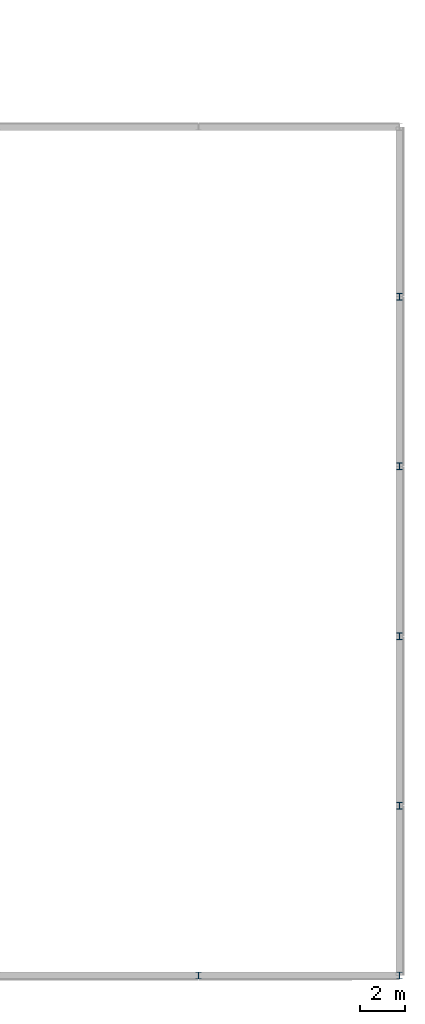
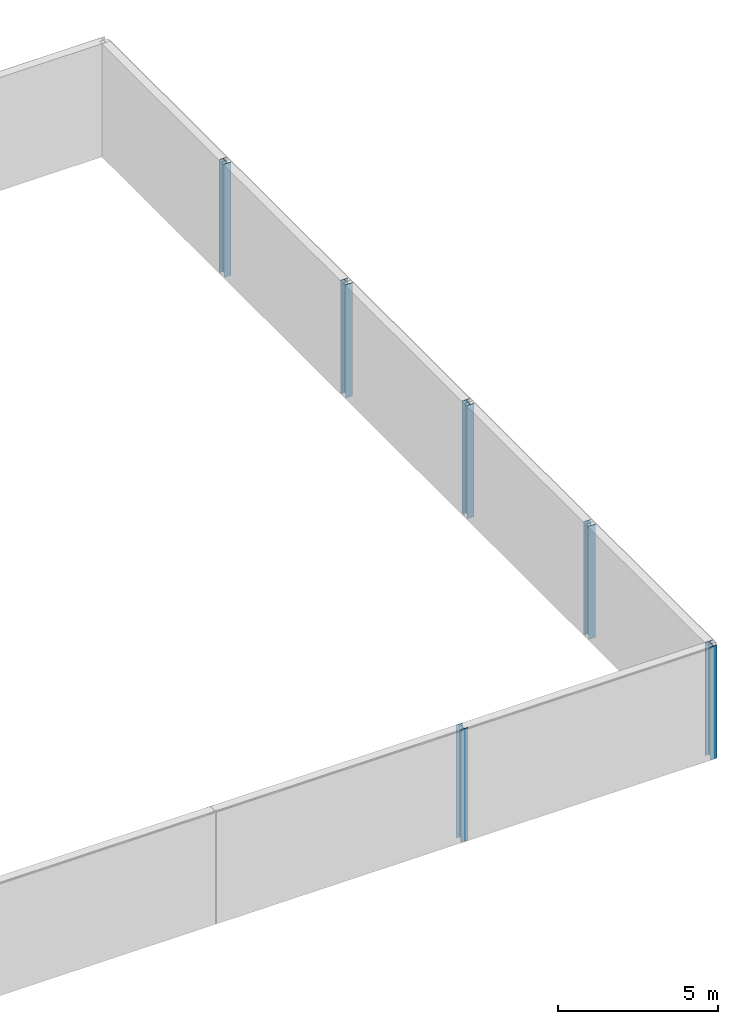
# One storey, part 23 of 174: 6 columns.
"""IFC4 building model written with IfcOpenShell, lengths in metres."""

from ifc_helpers import new_model, si_unit, direction, frame, origin, origin_2d, place, context, subcontext, project, spatial, i_section, extrude, material, material_profile, profile_set, type_object, element, save


model = new_model("IFC4")

# Units and contexts
model_context = context("Model", 3, precision=1e-05, world=origin(), true_north=direction((0.0, 1.0)))
body_context = subcontext(model_context, "Body", "Model", "MODEL_VIEW")
ifc_project = project(units=[si_unit("LENGTHUNIT", "METRE"), si_unit("AREAUNIT", "SQUARE_METRE"), si_unit("VOLUMEUNIT", "CUBIC_METRE"), si_unit("PLANEANGLEUNIT", "RADIAN"), si_unit("MASSUNIT", "GRAM", prefix="KILO")], contexts=[model_context])

# Site, building, storey
site_placement = place(None, origin())
site = spatial("IfcSite", under=ifc_project, at=site_placement, CompositionType="ELEMENT")
building_placement = place(site_placement, origin())
building = spatial("IfcBuilding", under=site, at=building_placement, Name="Caisbarro Railhouse Central Library", CompositionType="ELEMENT")
storey_placement = place(building_placement, frame((0.0, 0.0, 5.0400390625)))
storey = spatial("IfcBuildingStorey", under=building, at=storey_placement, Name="L01", CompositionType="ELEMENT", Elevation=5.0400390625)

# Columns
ifc_material = material(Name="Steel ASTM A572 Grade 50", Category="steel")
ifc_material_profile = material_profile(ifc_material, i_section(OverallWidth=0.25390625, OverallDepth=0.305908203125, WebThickness=0.0087890625, FlangeThickness=0.0146484375, FilletRadius=0.014892578125, at=origin_2d()), Name="W310X79.0")
ifc_profile_set = profile_set([ifc_material_profile], Name="Steel ASTM A572 Grade 50")
column_type = type_object("IfcColumnType", Name="COL-C07", PredefinedType="COLUMN", material=ifc_profile_set)
for number, where, z_axis, x_axis, name in (
    (1, (171.0, 0.0, 0.0), (0.0, 0.0, 1.0), (1.0, 0.0, 0.0), "C07 column L01 (171.0,0.0)"),
    (2, (180.0, 0.0, 0.0), (0.0, 0.0, 1.0), (1.0, 0.0, 0.0), "C07 column L01 (180.0,0.0)"),
    (3, (180.0, 7.60009765625, 0.0), (0.0, 0.0, 1.0), (1.0, 0.0, 0.0), "C07 column L01 (180.0,7.6)"),
    (4, (180.0, 15.199951171875, 0.0), (0.0, 0.0, 1.0), (1.0, 0.0, 0.0), "C07 column L01 (180.0,15.2)"),
    (5, (180.0, 22.800048828125, 0.0), (0.0, 0.0, 1.0), (1.0, 0.0, 0.0), "C07 column L01 (180.0,22.8)"),
    (6, (180.0, 30.39990234375, 0.0), (0.0, 0.0, 1.0), (1.0, 0.0, 0.0), "C07 column L01 (180.0,30.4)"),
):
    element("IfcColumn", number, at=place(storey_placement, frame(where, z_axis=z_axis, x_axis=x_axis)), inside=storey, type_object=column_type, Name=name, PredefinedType="COLUMN", context=body_context, shape_type="SweptSolid", body=[
        extrude(i_section(OverallWidth=0.25390625, OverallDepth=0.305908203125, WebThickness=0.0087890625, FlangeThickness=0.0146484375, FilletRadius=0.014892578125, at=origin_2d()), origin(), (0.0, 0.0, 1.0), 4.320068359375),
    ])

save(model, "model.ifc")
